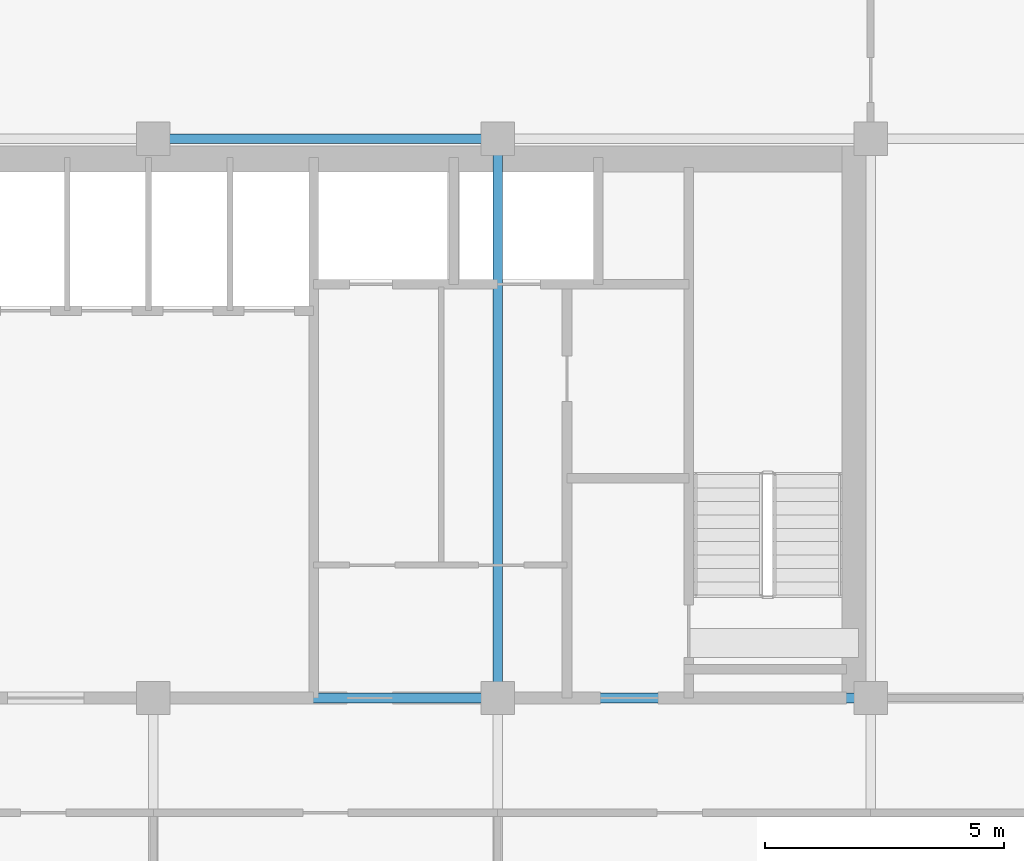
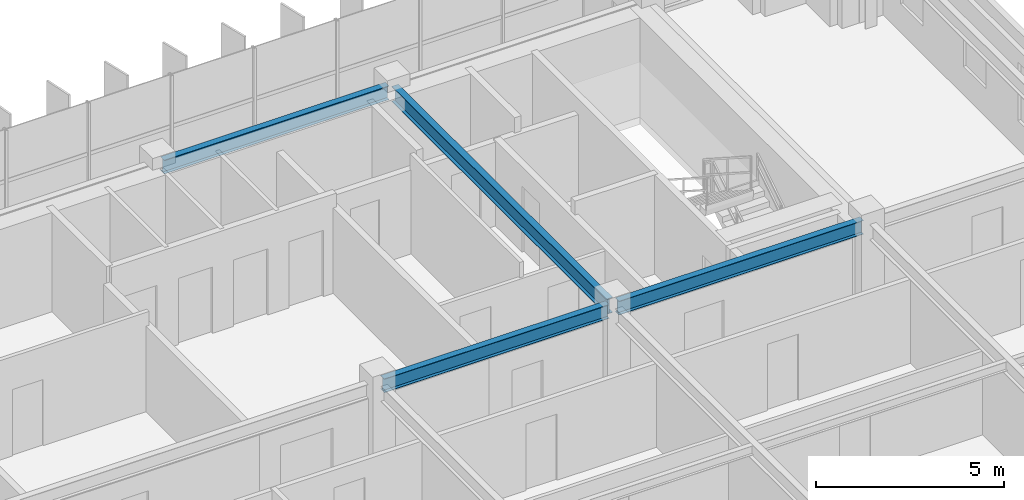
# One storey, part 14 of 27: 4 beams.
"""IFC4 building model written with IfcOpenShell, lengths in metres."""

from ifc_helpers import new_model, si_unit, direction, frame, origin, origin_2d, place, context, subcontext, project, spatial, i_section, extrude, source, transform, mapped, material, material_profile, profile_set, type_object, element, save


model = new_model("IFC4")

# Units and contexts
model_context = context("Model", 3, precision=1e-05, world=origin(), true_north=direction((0.0, 1.0)))
body_context = subcontext(model_context, "Body", "Model", "MODEL_VIEW")
ifc_project = project(units=[si_unit("LENGTHUNIT", "METRE"), si_unit("AREAUNIT", "SQUARE_METRE"), si_unit("VOLUMEUNIT", "CUBIC_METRE"), si_unit("PLANEANGLEUNIT", "RADIAN"), si_unit("MASSUNIT", "GRAM", prefix="KILO")], contexts=[model_context])

# Site, building, storey
site_placement = place(None, origin())
site = spatial("IfcSite", under=ifc_project, at=site_placement, CompositionType="ELEMENT")
building_placement = place(site_placement, origin())
building = spatial("IfcBuilding", under=site, at=building_placement, Name="Trelvane Seafront Commons", CompositionType="ELEMENT")
storey_placement = place(building_placement, frame((0.0, 0.0, 237.300048828125)))
storey = spatial("IfcBuildingStorey", under=building, at=storey_placement, Name="L62", CompositionType="ELEMENT", Elevation=237.300048828125)

# Beams
ifc_material = material(Name="Steel SM355 (S355)", Category="steel")
ifc_material_profile_1 = material_profile(ifc_material, i_section(OverallWidth=0.199951171875, OverallDepth=0.5, WebThickness=0.010009765625, FlangeThickness=0.01611328125, at=origin_2d()), Name="H-500x200x10x16")
ifc_profile_set_1 = profile_set([ifc_material_profile_1], Name="Steel SM355 (S355)")
beam_type_1 = type_object("IfcBeamType", Name="STR-BM-H500", PredefinedType="BEAM", material=ifc_profile_set_1)
shared_shape_1 = source(origin(), body_context, "Body", "SweptSolid", [
    extrude(i_section(OverallWidth=0.199951171875, OverallDepth=0.5, WebThickness=0.010009765625, FlangeThickness=0.01611328125, at=origin_2d()), origin(), (0.0, 0.0, 1.0), 11.39990234375),
])
beam_1_placement = place(storey_placement, frame((51.0, 33.550048828125, 2.969970703125), z_axis=(0.0, 1.0, 0.0), x_axis=(-1.0, 0.0, 0.0)))
element("IfcBeam", 1, at=beam_1_placement, inside=storey, type_object=beam_type_1, Name="L62 Primary Girder G-46", PredefinedType="BEAM", context=body_context, shape_type="MappedRepresentation", body=[
    mapped(shared_shape_1, transform((0.0, 0.0, 0.0), x_axis=(1.0, 0.0, 0.0), y_axis=(0.0, 1.0, 0.0), z_axis=(0.0, 0.0, 1.0), scale=1.0)),
])
ifc_material_profile_2 = material_profile(ifc_material, i_section(OverallWidth=0.199951171875, OverallDepth=0.449951171875, WebThickness=0.009033203125, FlangeThickness=0.013916015625, at=origin_2d()), Name="H-450x200x9x14")
ifc_profile_set_2 = profile_set([ifc_material_profile_2], Name="Steel SM355 (S355)")
beam_type_2 = type_object("IfcBeamType", Name="STR-SPD-H450", PredefinedType="SPANDREL", material=ifc_profile_set_2)
shared_shape_2 = source(origin(), body_context, "Body", "SweptSolid", [
    extrude(i_section(OverallWidth=0.199951171875, OverallDepth=0.449951171875, WebThickness=0.009033203125, FlangeThickness=0.013916015625, at=origin_2d()), origin(), (0.0, 0.0, 1.0), 7.5),
])
beam_2_placement = place(storey_placement, frame((51.14990234375, 33.39990234375, 2.994873046875), z_axis=(1.0, 0.0, 0.0), x_axis=(0.0, 1.0, 0.0)))
element("IfcBeam", 2, at=beam_2_placement, inside=storey, type_object=beam_type_2, Name="L62 Primary Girder G-20", PredefinedType="SPANDREL", context=body_context, shape_type="MappedRepresentation", body=[
    mapped(shared_shape_2, transform((0.0, 0.0, 0.0), x_axis=(1.0, 0.0, 0.0), y_axis=(0.0, 1.0, 0.0), z_axis=(0.0, 0.0, 1.0), scale=1.0)),
])
shared_shape_3 = source(origin(), body_context, "Body", "SweptSolid", [
    extrude(i_section(OverallWidth=0.199951171875, OverallDepth=0.449951171875, WebThickness=0.009033203125, FlangeThickness=0.013916015625, at=origin_2d()), origin(), (0.0, 0.0, 1.0), 6.900146484375),
])
for number, where, z_axis, x_axis, name in (
    (3, (43.949951171875, 33.39990234375, 2.994873046875), (1.0, 0.0, 0.0), (0.0, 1.0, 0.0), "L62 Primary Girder G-19"),
    (4, (43.949951171875, 45.10009765625, 2.994873046875), (1.0, 0.0, 0.0), (0.0, 1.0, 0.0), "L62 Primary Girder G-26"),
):
    element("IfcBeam", number, at=place(storey_placement, frame(where, z_axis=z_axis, x_axis=x_axis)), inside=storey, type_object=beam_type_2, Name=name, PredefinedType="SPANDREL", context=body_context, shape_type="MappedRepresentation", body=[
        mapped(shared_shape_3, transform((0.0, 0.0, 0.0), x_axis=(1.0, 0.0, 0.0), y_axis=(0.0, 1.0, 0.0), z_axis=(0.0, 0.0, 1.0), scale=1.0)),
    ])

save(model, "model.ifc")
